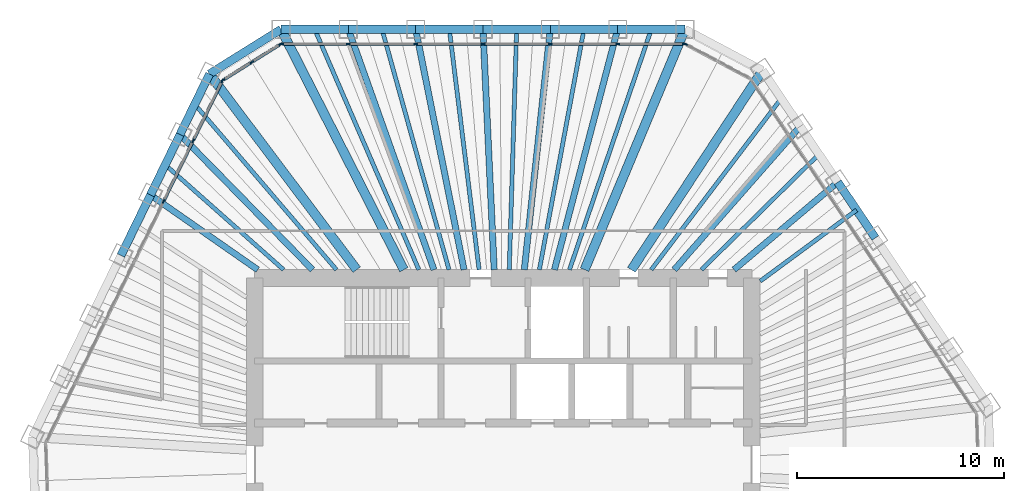
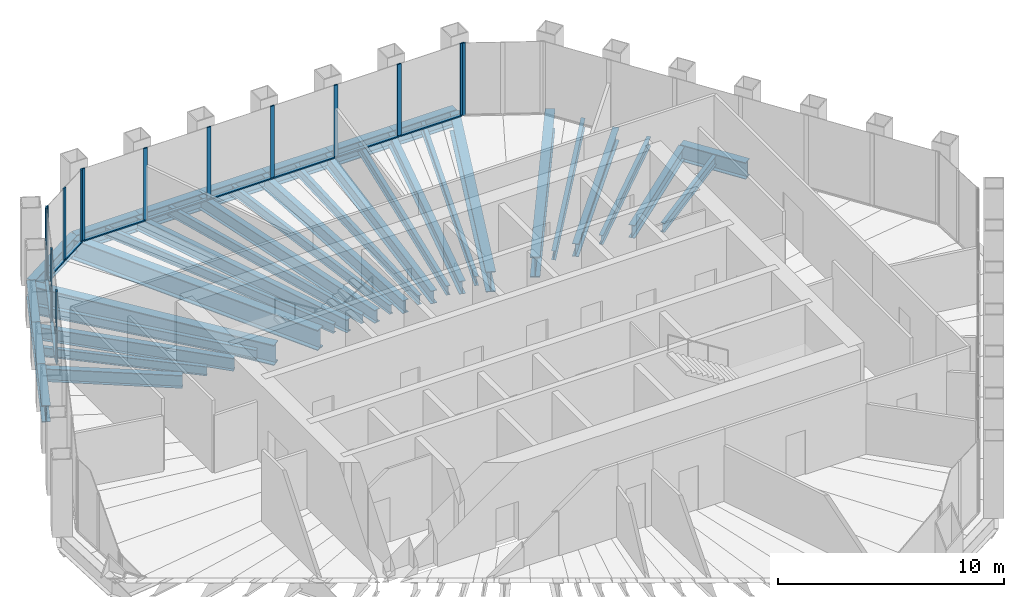
# One storey, part 7 of 14: 35 beams, 24 members, 4 elements without a shape of their own.
"""IFC4 building model written with IfcOpenShell, lengths in metres."""

from ifc_helpers import new_model, si_unit, direction, frame, origin, origin_2d, place, context, subcontext, project, spatial, rectangle, i_section, extrude, material, material_profile, profile_set, type_object, element, aggregate, save


model = new_model("IFC4")

# Units and contexts
model_context = context("Model", 3, precision=1e-05, world=origin(), true_north=direction((0.0, 1.0)))
body_context = subcontext(model_context, "Body", "Model", "MODEL_VIEW")
ifc_project = project(units=[si_unit("LENGTHUNIT", "METRE"), si_unit("AREAUNIT", "SQUARE_METRE"), si_unit("VOLUMEUNIT", "CUBIC_METRE"), si_unit("PLANEANGLEUNIT", "RADIAN"), si_unit("MASSUNIT", "GRAM", prefix="KILO")], contexts=[model_context])

# Site, building, storey
site_placement = place(None, origin())
site = spatial("IfcSite", under=ifc_project, at=site_placement, CompositionType="ELEMENT")
building_placement = place(site_placement, origin())
building = spatial("IfcBuilding", under=site, at=building_placement, Name="Qingtian Harvest Tower", CompositionType="ELEMENT")
storey_placement = place(building_placement, frame((0.0, 0.0, 333.39990234375)))
storey = spatial("IfcBuildingStorey", under=building, at=storey_placement, Name="L74", CompositionType="ELEMENT", Elevation=333.39990234375)

# Beams
ifc_material_1 = material(Name="Steel SM570MC", Category="steel")
ifc_material_profile_1 = material_profile(ifc_material_1, i_section(OverallWidth=0.449951171875, OverallDepth=1.10009765625, WebThickness=0.02197265625, FlangeThickness=0.044921875, at=origin_2d()), Name="H1100x450x22x45")
ifc_profile_set_1 = profile_set([ifc_material_profile_1], Name="Steel SM570MC")
beam_type_1 = type_object("IfcBeamType", Name="Corner floor beam FB8 H1100x450x22x45", PredefinedType="BEAM", material=ifc_profile_set_1)
beam_1_placement = place(storey_placement, frame((-10.72216796875, 21.0, -0.719970703125), z_axis=(0.454725592954, -0.890631593372, 0.0), x_axis=(0.890631593372, 0.454725592954, 0.0)))
element("IfcBeam", 1, at=beam_1_placement, inside=storey, type_object=beam_type_1, Name="Floor beam FB8 N0", PredefinedType="BEAM", context=body_context, shape_type="SweptSolid", body=[
    extrude(i_section(OverallWidth=0.449951171875, OverallDepth=1.10009765625, WebThickness=0.02197265625, FlangeThickness=0.044921875, at=origin_2d()), origin(), (0.0, 0.0, 1.0), 13.024658203125),
])
beam_2_placement = place(storey_placement, frame((8.765869140625, 21.0, -0.719970703125), z_axis=(-0.385202803059, -0.922831945977, 0.0), x_axis=(0.922831945977, -0.385202803059, 0.0)))
element("IfcBeam", 2, at=beam_2_placement, inside=storey, type_object=beam_type_1, Name="Floor beam FB8 N6", PredefinedType="BEAM", context=body_context, shape_type="SweptSolid", body=[
    extrude(i_section(OverallWidth=0.449951171875, OverallDepth=1.10009765625, WebThickness=0.02197265625, FlangeThickness=0.044921875, at=origin_2d()), origin(), (0.0, 0.0, 1.0), 12.570068359375),
])
beam_3_placement = place(storey_placement, frame((12.508056640625, 19.01025390625, -0.719970703125), z_axis=(-0.549655478371, -0.835391438247, 0.0), x_axis=(0.835391438247, -0.549655478371, 0.0)))
element("IfcBeam", 3, at=beam_3_placement, inside=storey, type_object=beam_type_1, Name="Floor beam FB8 NE0", PredefinedType="BEAM", context=body_context, shape_type="SweptSolid", body=[
    extrude(i_section(OverallWidth=0.449951171875, OverallDepth=1.10009765625, WebThickness=0.02197265625, FlangeThickness=0.044921875, at=origin_2d()), origin(), (0.0, 0.0, 1.0), 11.50390625),
])
beam_4_placement = place(storey_placement, frame((-14.17431640625, 18.8427734375, -0.719970703125), z_axis=(0.601143201392, -0.799141321307, 0.0), x_axis=(0.799141321307, 0.601143201392, 0.0)))
element("IfcBeam", 4, at=beam_4_placement, inside=storey, type_object=beam_type_1, Name="Floor beam FB8 NW6", PredefinedType="BEAM", context=body_context, shape_type="SweptSolid", body=[
    extrude(i_section(OverallWidth=0.449951171875, OverallDepth=1.10009765625, WebThickness=0.02197265625, FlangeThickness=0.044921875, at=origin_2d()), origin(), (0.0, 0.0, 1.0), 11.816162109375),
])
ifc_material_2 = material(Name="Steel SN490B", Category="steel")
ifc_material_profile_2 = material_profile(ifc_material_2, i_section(OverallWidth=0.300048828125, OverallDepth=0.699951171875, WebThickness=0.012939453125, FlangeThickness=0.02392578125, at=origin_2d()), Name="H700x300x13x24")
ifc_profile_set_2 = profile_set([ifc_material_profile_2], Name="Steel SN490B")
beam_type_2 = type_object("IfcBeamType", Name="Floor beam FB4 H700x300x13x24", PredefinedType="BEAM", material=ifc_profile_set_2)
beam_5_placement = place(storey_placement, frame((-7.47412109375, 21.0, -0.52001953125), z_axis=(0.335293644082, -0.942113672673, 0.0), x_axis=(0.942113672673, 0.335293644082, 0.0)))
element("IfcBeam", 5, at=beam_5_placement, inside=storey, type_object=beam_type_2, Name="Floor beam FB4 N1", PredefinedType="BEAM", context=body_context, shape_type="SweptSolid", body=[
    extrude(i_section(OverallWidth=0.300048828125, OverallDepth=0.699951171875, WebThickness=0.012939453125, FlangeThickness=0.02392578125, at=origin_2d()), origin(), (0.0, 0.0, 1.0), 12.312744140625),
])
beam_6_placement = place(storey_placement, frame((-4.226318359375, 21.0, -0.52001953125), z_axis=(0.197290474792, -0.980345076265, 0.0), x_axis=(0.980345076265, 0.197290474792, 0.0)))
element("IfcBeam", 6, at=beam_6_placement, inside=storey, type_object=beam_type_2, Name="Floor beam FB4 N2", PredefinedType="BEAM", context=body_context, shape_type="SweptSolid", body=[
    extrude(i_section(OverallWidth=0.300048828125, OverallDepth=0.699951171875, WebThickness=0.012939453125, FlangeThickness=0.02392578125, at=origin_2d()), origin(), (0.0, 0.0, 1.0), 11.832763671875),
])
beam_7_placement = place(storey_placement, frame((-0.978271484375, 21.0, -0.52001953125), z_axis=(0.046546287853, -0.998916134161, 0.0), x_axis=(0.998916134161, 0.046546287853, 0.0)))
element("IfcBeam", 7, at=beam_7_placement, inside=storey, type_object=beam_type_2, Name="Floor beam FB4 N3", PredefinedType="BEAM", context=body_context, shape_type="SweptSolid", body=[
    extrude(i_section(OverallWidth=0.300048828125, OverallDepth=0.699951171875, WebThickness=0.012939453125, FlangeThickness=0.02392578125, at=origin_2d()), origin(), (0.0, 0.0, 1.0), 11.61279296875),
])
beam_8_placement = place(storey_placement, frame((2.269775390625, 21.0, -0.52001953125), z_axis=(-0.107447744153, -0.994210733334, 0.0), x_axis=(0.994210733334, -0.107447744153, 0.0)))
element("IfcBeam", 8, at=beam_8_placement, inside=storey, type_object=beam_type_2, Name="Floor beam FB4 N4", PredefinedType="BEAM", context=body_context, shape_type="SweptSolid", body=[
    extrude(i_section(OverallWidth=0.300048828125, OverallDepth=0.699951171875, WebThickness=0.012939453125, FlangeThickness=0.02392578125, at=origin_2d()), origin(), (0.0, 0.0, 1.0), 11.667724609375),
])
beam_9_placement = place(storey_placement, frame((5.517822265625, 21.0, -0.52001953125), z_axis=(-0.254118548412, -0.967173078282, 0.0), x_axis=(0.967173078282, -0.254118548412, 0.0)))
element("IfcBeam", 9, at=beam_9_placement, inside=storey, type_object=beam_type_2, Name="Floor beam FB4 N5", PredefinedType="BEAM", context=body_context, shape_type="SweptSolid", body=[
    extrude(i_section(OverallWidth=0.300048828125, OverallDepth=0.699951171875, WebThickness=0.012939453125, FlangeThickness=0.02392578125, at=origin_2d()), origin(), (0.0, 0.0, 1.0), 11.993896484375),
])
beam_10_placement = place(storey_placement, frame((14.32421875, 16.317626953125, -0.52001953125), z_axis=(-0.659703637934, -0.751525854576, 0.0), x_axis=(0.751525854576, -0.659703637934, 0.0)))
element("IfcBeam", 10, at=beam_10_placement, inside=storey, type_object=beam_type_2, Name="Floor beam FB4 NE1", PredefinedType="BEAM", context=body_context, shape_type="SweptSolid", body=[
    extrude(i_section(OverallWidth=0.300048828125, OverallDepth=0.699951171875, WebThickness=0.012939453125, FlangeThickness=0.02392578125, at=origin_2d()), origin(), (0.0, 0.0, 1.0), 9.204833984375),
])
beam_11_placement = place(storey_placement, frame((16.140625, 13.624755859375, -0.52001953125), z_axis=(-0.764157701072, -0.645029462809, 0.0), x_axis=(0.645029462809, -0.764157701072, 0.0)))
element("IfcBeam", 11, at=beam_11_placement, inside=storey, type_object=beam_type_2, Name="Floor beam FB4 NE2", PredefinedType="BEAM", context=body_context, shape_type="SweptSolid", body=[
    extrude(i_section(OverallWidth=0.300048828125, OverallDepth=0.699951171875, WebThickness=0.012939453125, FlangeThickness=0.02392578125, at=origin_2d()), origin(), (0.0, 0.0, 1.0), 6.5498046875),
])
beam_12_placement = place(storey_placement, frame((-17.02197265625, 13.00439453125, -0.52001953125), z_axis=(0.820409176986, -0.571776864097, 0.0), x_axis=(0.571776864097, 0.820409176986, 0.0)))
element("IfcBeam", 12, at=beam_12_placement, inside=storey, type_object=beam_type_2, Name="Floor beam FB4 NW4", PredefinedType="BEAM", context=body_context, shape_type="SweptSolid", body=[
    extrude(i_section(OverallWidth=0.300048828125, OverallDepth=0.699951171875, WebThickness=0.012939453125, FlangeThickness=0.02392578125, at=origin_2d()), origin(), (0.0, 0.0, 1.0), 6.303955078125),
])
beam_13_placement = place(storey_placement, frame((-15.59814453125, 15.923583984375, -0.52001953125), z_axis=(0.699757003326, -0.714380946202, 0.0), x_axis=(0.714380946202, 0.699757003326, 0.0)))
element("IfcBeam", 13, at=beam_13_placement, inside=storey, type_object=beam_type_2, Name="Floor beam FB4 NW5", PredefinedType="BEAM", context=body_context, shape_type="SweptSolid", body=[
    extrude(i_section(OverallWidth=0.300048828125, OverallDepth=0.699951171875, WebThickness=0.012939453125, FlangeThickness=0.02392578125, at=origin_2d()), origin(), (0.0, 0.0, 1.0), 9.1318359375),
])
ifc_material_3 = material(Name="Steel SN490B", Category="steel")
ifc_material_profile_3 = material_profile(ifc_material_3, i_section(OverallWidth=0.199951171875, OverallDepth=0.5, WebThickness=0.010009765625, FlangeThickness=0.01611328125, at=origin_2d()), Name="H500x200x10x16")
ifc_profile_set_3 = profile_set([ifc_material_profile_3], Name="Steel SN490B")
beam_type_3 = type_object("IfcBeamType", Name="Floor joist J3 H500x200x10x16", PredefinedType="JOIST", material=ifc_profile_set_3)
beam_14_placement = place(storey_placement, frame((-9.09814453125, 21.0, -0.419921875), z_axis=(0.39753589741, -0.917586622761, 0.0), x_axis=(0.917586622761, 0.39753589741, 0.0)))
element("IfcBeam", 14, at=beam_14_placement, inside=storey, type_object=beam_type_3, Name="Floor joist J3 N0", PredefinedType="JOIST", context=body_context, shape_type="SweptSolid", body=[
    extrude(i_section(OverallWidth=0.199951171875, OverallDepth=0.5, WebThickness=0.010009765625, FlangeThickness=0.01611328125, at=origin_2d()), origin(), (0.0, 0.0, 1.0), 12.641845703125),
])
beam_15_placement = place(storey_placement, frame((-5.85009765625, 21.0, -0.419921875), z_axis=(0.268352758425, -0.963320713494, 0.0), x_axis=(0.963320713494, 0.268352758425, 0.0)))
element("IfcBeam", 15, at=beam_15_placement, inside=storey, type_object=beam_type_3, Name="Floor joist J3 N1", PredefinedType="JOIST", context=body_context, shape_type="SweptSolid", body=[
    extrude(i_section(OverallWidth=0.199951171875, OverallDepth=0.5, WebThickness=0.010009765625, FlangeThickness=0.01611328125, at=origin_2d()), origin(), (0.0, 0.0, 1.0), 12.041748046875),
])
beam_16_placement = place(storey_placement, frame((-2.602294921875, 21.0, -0.419921875), z_axis=(0.122980691304, -0.992409063626, 0.0), x_axis=(0.992409063626, 0.122980691304, 0.0)))
element("IfcBeam", 16, at=beam_16_placement, inside=storey, type_object=beam_type_3, Name="Floor joist J3 N2", PredefinedType="JOIST", context=body_context, shape_type="SweptSolid", body=[
    extrude(i_section(OverallWidth=0.199951171875, OverallDepth=0.5, WebThickness=0.010009765625, FlangeThickness=0.01611328125, at=origin_2d()), origin(), (0.0, 0.0, 1.0), 11.688720703125),
])
beam_17_placement = place(storey_placement, frame((0.645751953125, 21.0, -0.419921875), z_axis=(-0.030734305856, -0.999527589636, 0.0), x_axis=(0.999527589636, -0.030734305856, 0.0)))
element("IfcBeam", 17, at=beam_17_placement, inside=storey, type_object=beam_type_3, Name="Floor joist J3 N3", PredefinedType="JOIST", context=body_context, shape_type="SweptSolid", body=[
    extrude(i_section(OverallWidth=0.199951171875, OverallDepth=0.5, WebThickness=0.010009765625, FlangeThickness=0.01611328125, at=origin_2d()), origin(), (0.0, 0.0, 1.0), 11.60546875),
])
beam_18_placement = place(storey_placement, frame((3.893798828125, 21.0, -0.419921875), z_axis=(-0.182311561934, -0.983240812001, 0.0), x_axis=(0.983240812001, -0.182311561934, 0.0)))
element("IfcBeam", 18, at=beam_18_placement, inside=storey, type_object=beam_type_3, Name="Floor joist J3 N4", PredefinedType="JOIST", context=body_context, shape_type="SweptSolid", body=[
    extrude(i_section(OverallWidth=0.199951171875, OverallDepth=0.5, WebThickness=0.010009765625, FlangeThickness=0.01611328125, at=origin_2d()), origin(), (0.0, 0.0, 1.0), 11.7978515625),
])
beam_19_placement = place(storey_placement, frame((7.141845703125, 21.0, -0.419921875), z_axis=(-0.321978462512, -0.946746993488, 0.0), x_axis=(0.946746993488, -0.321978462512, 0.0)))
element("IfcBeam", 19, at=beam_19_placement, inside=storey, type_object=beam_type_3, Name="Floor joist J3 N5", PredefinedType="JOIST", context=body_context, shape_type="SweptSolid", body=[
    extrude(i_section(OverallWidth=0.199951171875, OverallDepth=0.5, WebThickness=0.010009765625, FlangeThickness=0.01611328125, at=origin_2d()), origin(), (0.0, 0.0, 1.0), 12.252685546875),
])
beam_20_placement = place(storey_placement, frame((13.416015625, 17.6640625, -0.419921875), z_axis=(-0.604829724016, -0.796354823522, 0.0), x_axis=(0.796354823522, -0.604829724016, 0.0)))
element("IfcBeam", 20, at=beam_20_placement, inside=storey, type_object=beam_type_3, Name="Floor joist J3 NE0", PredefinedType="JOIST", context=body_context, shape_type="SweptSolid", body=[
    extrude(i_section(OverallWidth=0.199951171875, OverallDepth=0.5, WebThickness=0.010009765625, FlangeThickness=0.01611328125, at=origin_2d()), origin(), (0.0, 0.0, 1.0), 10.37744140625),
])
beam_21_placement = place(storey_placement, frame((15.232421875, 14.97119140625, -0.419921875), z_axis=(-0.713193091885, -0.700967626704, 0.0), x_axis=(0.700967626704, -0.713193091885, 0.0)))
element("IfcBeam", 21, at=beam_21_placement, inside=storey, type_object=beam_type_3, Name="Floor joist J3 NE1", PredefinedType="JOIST", context=body_context, shape_type="SweptSolid", body=[
    extrude(i_section(OverallWidth=0.199951171875, OverallDepth=0.5, WebThickness=0.010009765625, FlangeThickness=0.01611328125, at=origin_2d()), origin(), (0.0, 0.0, 1.0), 7.947998046875),
])
beam_22_placement = place(storey_placement, frame((17.048583984375, 12.278564453125, -0.419921875), z_axis=(-0.804797608796, -0.59354933146, 0.0), x_axis=(0.59354933146, -0.804797608796, 0.0)))
element("IfcBeam", 22, at=beam_22_placement, inside=storey, type_object=beam_type_3, Name="Floor joist J3 NE2", PredefinedType="JOIST", context=body_context, shape_type="SweptSolid", body=[
    extrude(i_section(OverallWidth=0.199951171875, OverallDepth=0.5, WebThickness=0.010009765625, FlangeThickness=0.01611328125, at=origin_2d()), origin(), (0.0, 0.0, 1.0), 5.776123046875),
])
beam_23_placement = place(storey_placement, frame((-16.31005859375, 14.4638671875, -0.419921875), z_axis=(0.748174776717, -0.663501698177, 0.0), x_axis=(0.663501698177, 0.748174776717, 0.0)))
element("IfcBeam", 23, at=beam_23_placement, inside=storey, type_object=beam_type_3, Name="Floor joist J3 NW4", PredefinedType="JOIST", context=body_context, shape_type="SweptSolid", body=[
    extrude(i_section(OverallWidth=0.199951171875, OverallDepth=0.5, WebThickness=0.010009765625, FlangeThickness=0.01611328125, at=origin_2d()), origin(), (0.0, 0.0, 1.0), 7.632080078125),
])
beam_24_placement = place(storey_placement, frame((-14.88623046875, 17.38330078125, -0.419921875), z_axis=(0.650435500933, -0.75956149134, 0.0), x_axis=(0.75956149134, 0.650435500933, 0.0)))
element("IfcBeam", 24, at=beam_24_placement, inside=storey, type_object=beam_type_3, Name="Floor joist J3 NW5", PredefinedType="JOIST", context=body_context, shape_type="SweptSolid", body=[
    extrude(i_section(OverallWidth=0.199951171875, OverallDepth=0.5, WebThickness=0.010009765625, FlangeThickness=0.01611328125, at=origin_2d()), origin(), (0.0, 0.0, 1.0), 10.510498046875),
])

# Curtain wall, members
ifc_material_4 = material(Name="Bronze-anodised aluminium curtain wall", Category="aluminium")
curtain_wall_type = type_object("IfcCurtainWallType", Name="Curtain wall CW6 executive floors", PredefinedType="USERDEFINED", material=ifc_material_4)
curtain_wall_1_placement = place(storey_placement, origin())
curtain_wall_1 = element("IfcCurtainWall", 25, at=curtain_wall_1_placement, inside=storey, type_object=curtain_wall_type, Name="Curtain wall CW6 L74 N0-5", ObjectType="RECESSED CURTAIN WALL", PredefinedType="USERDEFINED")
ifc_material_5 = material(Name="Bronze-anodised aluminium mullion", Category="aluminium")
ifc_material_profile_4 = material_profile(ifc_material_5, rectangle(XDim=0.06494140625, YDim=0.199951171875, at=origin_2d()), Name="AL 65x200")
ifc_profile_set_4 = profile_set([ifc_material_profile_4], Name="Bronze-anodised aluminium mullion")
member_type_1 = type_object("IfcMemberType", Name="Mullion CWM 65x200", PredefinedType="MULLION", material=ifc_profile_set_4)
member_1_placement = place(storey_placement, frame((-10.689697265625, 20.300048828125, 0.0), z_axis=(0.0, 0.0, 1.0), x_axis=(0.0, 1.0, 0.0)))
member_1 = element("IfcMember", 26, at=member_1_placement, type_object=member_type_1, Name="CW6 mullion 1", PredefinedType="MULLION", context=body_context, shape_type="SweptSolid", body=[
    extrude(rectangle(XDim=0.06494140625, YDim=0.199951171875, at=origin_2d()), origin(), (0.0, 0.0, 1.0), 3.920166015625),
])
member_2_placement = place(storey_placement, frame((-7.47412109375, 20.300048828125, 0.0), z_axis=(0.0, 0.0, 1.0), x_axis=(0.0, 1.0, 0.0)))
member_2 = element("IfcMember", 27, at=member_2_placement, type_object=member_type_1, Name="CW6 mullion 2", PredefinedType="MULLION", context=body_context, shape_type="SweptSolid", body=[
    extrude(rectangle(XDim=0.06494140625, YDim=0.199951171875, at=origin_2d()), origin(), (0.0, 0.0, 1.0), 3.920166015625),
])
member_3_placement = place(storey_placement, frame((-4.226318359375, 20.300048828125, 0.0), z_axis=(0.0, 0.0, 1.0), x_axis=(0.0, 1.0, 0.0)))
member_3 = element("IfcMember", 28, at=member_3_placement, type_object=member_type_1, Name="CW6 mullion 3", PredefinedType="MULLION", context=body_context, shape_type="SweptSolid", body=[
    extrude(rectangle(XDim=0.06494140625, YDim=0.199951171875, at=origin_2d()), origin(), (0.0, 0.0, 1.0), 3.920166015625),
])
member_4_placement = place(storey_placement, frame((-0.978271484375, 20.300048828125, 0.0), z_axis=(0.0, 0.0, 1.0), x_axis=(0.0, 1.0, 0.0)))
member_4 = element("IfcMember", 29, at=member_4_placement, type_object=member_type_1, Name="CW6 mullion 4", PredefinedType="MULLION", context=body_context, shape_type="SweptSolid", body=[
    extrude(rectangle(XDim=0.06494140625, YDim=0.199951171875, at=origin_2d()), origin(), (0.0, 0.0, 1.0), 3.920166015625),
])
member_5_placement = place(storey_placement, frame((2.269775390625, 20.300048828125, 0.0), z_axis=(0.0, 0.0, 1.0), x_axis=(0.0, 1.0, 0.0)))
member_5 = element("IfcMember", 30, at=member_5_placement, type_object=member_type_1, Name="CW6 mullion 5", PredefinedType="MULLION", context=body_context, shape_type="SweptSolid", body=[
    extrude(rectangle(XDim=0.06494140625, YDim=0.199951171875, at=origin_2d()), origin(), (0.0, 0.0, 1.0), 3.920166015625),
])
member_6_placement = place(storey_placement, frame((5.517822265625, 20.300048828125, 0.0), z_axis=(0.0, 0.0, 1.0), x_axis=(0.0, 1.0, 0.0)))
member_6 = element("IfcMember", 31, at=member_6_placement, type_object=member_type_1, Name="CW6 mullion 6", PredefinedType="MULLION", context=body_context, shape_type="SweptSolid", body=[
    extrude(rectangle(XDim=0.06494140625, YDim=0.199951171875, at=origin_2d()), origin(), (0.0, 0.0, 1.0), 3.920166015625),
])
member_7_placement = place(storey_placement, frame((8.7333984375, 20.300048828125, 0.0), z_axis=(0.0, 0.0, 1.0), x_axis=(0.0, 1.0, 0.0)))
member_7 = element("IfcMember", 32, at=member_7_placement, type_object=member_type_1, Name="CW6 mullion 7", PredefinedType="MULLION", context=body_context, shape_type="SweptSolid", body=[
    extrude(rectangle(XDim=0.06494140625, YDim=0.199951171875, at=origin_2d()), origin(), (0.0, 0.0, 1.0), 3.920166015625),
])

# Curtain wall, member
curtain_wall_2_placement = place(storey_placement, origin())
curtain_wall_2 = element("IfcCurtainWall", 33, at=curtain_wall_2_placement, inside=storey, type_object=curtain_wall_type, Name="Curtain wall CW6 L74 NC", ObjectType="RECESSED CURTAIN WALL", PredefinedType="USERDEFINED")
member_8_placement = place(storey_placement, frame((8.794677734375, 20.28466796875, 0.0), z_axis=(0.0, 0.0, 1.0), x_axis=(0.469471562786, 0.882947592859, 0.0)))
member_8 = element("IfcMember", 34, at=member_8_placement, type_object=member_type_1, Name="CW6 mullion 1", PredefinedType="MULLION", context=body_context, shape_type="SweptSolid", body=[
    extrude(rectangle(XDim=0.06494140625, YDim=0.199951171875, at=origin_2d()), origin(), (0.0, 0.0, 1.0), 3.920166015625),
])
aggregate(curtain_wall_2, [member_8])

# Curtain wall, members
curtain_wall_3_placement = place(storey_placement, origin())
curtain_wall_3 = element("IfcCurtainWall", 35, at=curtain_wall_3_placement, inside=storey, type_object=curtain_wall_type, Name="Curtain wall CW6 L74 NW0-5", ObjectType="RECESSED CURTAIN WALL", PredefinedType="USERDEFINED")
member_9_placement = place(storey_placement, frame((-16.392822265625, 12.697509765625, 0.0), z_axis=(0.0, 0.0, 1.0), x_axis=(-0.898794046299, 0.438371146789, 0.0)))
member_9 = element("IfcMember", 36, at=member_9_placement, type_object=member_type_1, Name="CW6 mullion 5", PredefinedType="MULLION", context=body_context, shape_type="SweptSolid", body=[
    extrude(rectangle(XDim=0.06494140625, YDim=0.199951171875, at=origin_2d()), origin(), (0.0, 0.0, 1.0), 3.920166015625),
])
member_10_placement = place(storey_placement, frame((-14.968994140625, 15.61669921875, 0.0), z_axis=(0.0, 0.0, 1.0), x_axis=(-0.898794046299, 0.438371146789, 0.0)))
member_10 = element("IfcMember", 37, at=member_10_placement, type_object=member_type_1, Name="CW6 mullion 6", PredefinedType="MULLION", context=body_context, shape_type="SweptSolid", body=[
    extrude(rectangle(XDim=0.06494140625, YDim=0.199951171875, at=origin_2d()), origin(), (0.0, 0.0, 1.0), 3.920166015625),
])
member_11_placement = place(storey_placement, frame((-13.559326171875, 18.5068359375, 0.0), z_axis=(0.0, 0.0, 1.0), x_axis=(-0.898794046299, 0.438371146789, 0.0)))
member_11 = element("IfcMember", 38, at=member_11_placement, type_object=member_type_1, Name="CW6 mullion 7", PredefinedType="MULLION", context=body_context, shape_type="SweptSolid", body=[
    extrude(rectangle(XDim=0.06494140625, YDim=0.199951171875, at=origin_2d()), origin(), (0.0, 0.0, 1.0), 3.920166015625),
])

curtain_wall_4_placement = place(storey_placement, origin())
curtain_wall_4 = element("IfcCurtainWall", 39, at=curtain_wall_4_placement, inside=storey, type_object=curtain_wall_type, Name="Curtain wall CW6 L74 NWC", ObjectType="RECESSED CURTAIN WALL", PredefinedType="USERDEFINED")
member_12_placement = place(storey_placement, frame((-13.517578125, 18.55322265625, 0.0), z_axis=(0.0, 0.0, 1.0), x_axis=(-0.529919264233, 0.848048096156, 0.0)))
member_12 = element("IfcMember", 40, at=member_12_placement, type_object=member_type_1, Name="CW6 mullion 1", PredefinedType="MULLION", context=body_context, shape_type="SweptSolid", body=[
    extrude(rectangle(XDim=0.06494140625, YDim=0.199951171875, at=origin_2d()), origin(), (0.0, 0.0, 1.0), 3.920166015625),
])
member_13_placement = place(storey_placement, frame((-12.1337890625, 19.41796875, 0.0), z_axis=(0.0, 0.0, 1.0), x_axis=(-0.529919264233, 0.848048096156, 0.0)))
member_13 = element("IfcMember", 41, at=member_13_placement, type_object=member_type_1, Name="CW6 mullion 2", PredefinedType="MULLION", context=body_context, shape_type="SweptSolid", body=[
    extrude(rectangle(XDim=0.06494140625, YDim=0.199951171875, at=origin_2d()), origin(), (0.0, 0.0, 1.0), 3.920166015625),
])
member_14_placement = place(storey_placement, frame((-10.749755859375, 20.28271484375, 0.0), z_axis=(0.0, 0.0, 1.0), x_axis=(-0.529919264233, 0.848048096156, 0.0)))
member_14 = element("IfcMember", 42, at=member_14_placement, type_object=member_type_1, Name="CW6 mullion 3", PredefinedType="MULLION", context=body_context, shape_type="SweptSolid", body=[
    extrude(rectangle(XDim=0.06494140625, YDim=0.199951171875, at=origin_2d()), origin(), (0.0, 0.0, 1.0), 3.920166015625),
])

# Beams
ifc_material_6 = material(Name="Steel SN490B", Category="steel")
ifc_material_profile_5 = material_profile(ifc_material_6, i_section(OverallWidth=0.39990234375, OverallDepth=0.89990234375, WebThickness=0.01904296875, FlangeThickness=0.035888671875, at=origin_2d()), Name="H900x400x19x36")
ifc_profile_set_5 = profile_set([ifc_material_profile_5], Name="Steel SN490B")
beam_type_4 = type_object("IfcBeamType", Name="Spandrel beam SB4 H900x400x19x36", PredefinedType="SPANDREL", material=ifc_profile_set_5)
beam_25_placement = place(storey_placement, frame((-10.72216796875, 21.0, -0.449951171875), z_axis=(1.0, 0.0, 0.0), x_axis=(0.0, 1.0, 0.0)))
element("IfcBeam", 43, at=beam_25_placement, inside=storey, type_object=beam_type_4, Name="Spandrel SB4 N0", PredefinedType="SPANDREL", context=body_context, shape_type="SweptSolid", body=[
    extrude(i_section(OverallWidth=0.39990234375, OverallDepth=0.89990234375, WebThickness=0.01904296875, FlangeThickness=0.035888671875, at=origin_2d()), origin(), (0.0, 0.0, 1.0), 3.248046875),
])
beam_26_placement = place(storey_placement, frame((-7.47412109375, 21.0, -0.449951171875), z_axis=(1.0, 0.0, 0.0), x_axis=(0.0, 1.0, 0.0)))
element("IfcBeam", 44, at=beam_26_placement, inside=storey, type_object=beam_type_4, Name="Spandrel SB4 N1", PredefinedType="SPANDREL", context=body_context, shape_type="SweptSolid", body=[
    extrude(i_section(OverallWidth=0.39990234375, OverallDepth=0.89990234375, WebThickness=0.01904296875, FlangeThickness=0.035888671875, at=origin_2d()), origin(), (0.0, 0.0, 1.0), 3.247802734375),
])
for number, where, z_axis, x_axis, name in (
    (45, (-4.226318359375, 21.0, -0.449951171875), (1.0, 0.0, 0.0), (0.0, 1.0, 0.0), "Spandrel SB4 N2"),
    (46, (-0.978271484375, 21.0, -0.449951171875), (1.0, 0.0, 0.0), (0.0, 1.0, 0.0), "Spandrel SB4 N3"),
    (47, (2.269775390625, 21.0, -0.449951171875), (1.0, 0.0, 0.0), (0.0, 1.0, 0.0), "Spandrel SB4 N4"),
    (48, (5.517822265625, 21.0, -0.449951171875), (1.0, 0.0, 0.0), (0.0, 1.0, 0.0), "Spandrel SB4 N5"),
):
    element("IfcBeam", number, at=place(storey_placement, frame(where, z_axis=z_axis, x_axis=x_axis)), inside=storey, type_object=beam_type_4, Name=name, PredefinedType="SPANDREL", context=body_context, shape_type="SweptSolid", body=[
        extrude(i_section(OverallWidth=0.39990234375, OverallDepth=0.89990234375, WebThickness=0.01904296875, FlangeThickness=0.035888671875, at=origin_2d()), origin(), (0.0, 0.0, 1.0), 3.248046875),
    ])
beam_27_placement = place(storey_placement, frame((16.140625, 13.624755859375, -0.449951171875), z_axis=(0.559184924833, -0.829042954158, 0.0), x_axis=(0.829042954158, 0.559184924833, 0.0)))
element("IfcBeam", 49, at=beam_27_placement, inside=storey, type_object=beam_type_4, Name="Spandrel SB4 NE2", PredefinedType="SPANDREL", context=body_context, shape_type="SweptSolid", body=[
    extrude(i_section(OverallWidth=0.39990234375, OverallDepth=0.89990234375, WebThickness=0.01904296875, FlangeThickness=0.035888671875, at=origin_2d()), origin(), (0.0, 0.0, 1.0), 3.247802734375),
])
beam_28_placement = place(storey_placement, frame((-18.44580078125, 10.0849609375, -0.449951171875), z_axis=(0.438352548749, 0.898803116931, 0.0), x_axis=(-0.898803116931, 0.438352548749, 0.0)))
element("IfcBeam", 50, at=beam_28_placement, inside=storey, type_object=beam_type_4, Name="Spandrel SB4 NW3", PredefinedType="SPANDREL", context=body_context, shape_type="SweptSolid", body=[
    extrude(i_section(OverallWidth=0.39990234375, OverallDepth=0.89990234375, WebThickness=0.01904296875, FlangeThickness=0.035888671875, at=origin_2d()), origin(), (0.0, 0.0, 1.0), 3.248046875),
])
for number, where, z_axis, x_axis, name in (
    (51, (-17.02197265625, 13.00439453125, -0.449951171875), (0.438382164311, 0.898788672611, 0.0), (-0.898788672611, 0.438382164311, 0.0), "Spandrel SB4 NW4"),
    (52, (-15.59814453125, 15.923583984375, -0.449951171875), (0.438382164311, 0.898788672611, 0.0), (-0.898788672611, 0.438382164311, 0.0), "Spandrel SB4 NW5"),
):
    element("IfcBeam", number, at=place(storey_placement, frame(where, z_axis=z_axis, x_axis=x_axis)), inside=storey, type_object=beam_type_4, Name=name, PredefinedType="SPANDREL", context=body_context, shape_type="SweptSolid", body=[
        extrude(i_section(OverallWidth=0.39990234375, OverallDepth=0.89990234375, WebThickness=0.01904296875, FlangeThickness=0.035888671875, at=origin_2d()), origin(), (0.0, 0.0, 1.0), 3.247802734375),
    ])
beam_29_placement = place(storey_placement, frame((-14.17431640625, 18.8427734375, -0.449951171875), z_axis=(0.848038733752, 0.529934246919, 0.0), x_axis=(-0.529934246919, 0.848038733752, 0.0)))
element("IfcBeam", 53, at=beam_29_placement, inside=storey, type_object=beam_type_4, Name="Spandrel SB4 NWC", PredefinedType="SPANDREL", context=body_context, shape_type="SweptSolid", body=[
    extrude(i_section(OverallWidth=0.39990234375, OverallDepth=0.89990234375, WebThickness=0.01904296875, FlangeThickness=0.035888671875, at=origin_2d()), origin(), (0.0, 0.0, 1.0), 4.07080078125),
])

# Member
ifc_material_7 = material(Name="Bronze-anodised aluminium transom", Category="aluminium")
ifc_material_profile_6 = material_profile(ifc_material_7, rectangle(XDim=0.14990234375, YDim=0.06494140625, at=origin_2d()), Name="AL 65x150")
ifc_profile_set_6 = profile_set([ifc_material_profile_6], Name="Bronze-anodised aluminium transom")
member_type_2 = type_object("IfcMemberType", Name="Transom CWT 65x150", PredefinedType="USERDEFINED", material=ifc_profile_set_6)
member_15_placement = place(storey_placement, frame((-10.6572265625, 20.300048828125, 0.03271484375), z_axis=(1.0, 0.0, 0.0), x_axis=(0.0, 1.0, 0.0)))
member_15 = element("IfcMember", 54, at=member_15_placement, type_object=member_type_2, Name="CW6 transom 1.1", ObjectType="TRANSOM", PredefinedType="USERDEFINED", context=body_context, shape_type="SweptSolid", body=[
    extrude(rectangle(XDim=0.14990234375, YDim=0.06494140625, at=origin_2d()), origin(), (0.0, 0.0, 1.0), 3.150390625),
])

member_16_placement = place(storey_placement, frame((-7.441650390625, 20.300048828125, 0.03271484375), z_axis=(1.0, 0.0, 0.0), x_axis=(0.0, 1.0, 0.0)))
member_16 = element("IfcMember", 55, at=member_16_placement, type_object=member_type_2, Name="CW6 transom 2.1", ObjectType="TRANSOM", PredefinedType="USERDEFINED", context=body_context, shape_type="SweptSolid", body=[
    extrude(rectangle(XDim=0.14990234375, YDim=0.06494140625, at=origin_2d()), origin(), (0.0, 0.0, 1.0), 3.182861328125),
])

member_17_placement = place(storey_placement, frame((-4.193603515625, 20.300048828125, 0.03271484375), z_axis=(1.0, 0.0, 0.0), x_axis=(0.0, 1.0, 0.0)))
member_17 = element("IfcMember", 56, at=member_17_placement, type_object=member_type_2, Name="CW6 transom 3.1", ObjectType="TRANSOM", PredefinedType="USERDEFINED", context=body_context, shape_type="SweptSolid", body=[
    extrude(rectangle(XDim=0.14990234375, YDim=0.06494140625, at=origin_2d()), origin(), (0.0, 0.0, 1.0), 3.182861328125),
])

member_18_placement = place(storey_placement, frame((-0.94580078125, 20.300048828125, 0.03271484375), z_axis=(1.0, 0.0, 0.0), x_axis=(0.0, 1.0, 0.0)))
member_18 = element("IfcMember", 57, at=member_18_placement, type_object=member_type_2, Name="CW6 transom 4.1", ObjectType="TRANSOM", PredefinedType="USERDEFINED", context=body_context, shape_type="SweptSolid", body=[
    extrude(rectangle(XDim=0.14990234375, YDim=0.06494140625, at=origin_2d()), origin(), (0.0, 0.0, 1.0), 3.18310546875),
])

member_19_placement = place(storey_placement, frame((2.30224609375, 20.300048828125, 0.03271484375), z_axis=(1.0, 0.0, 0.0), x_axis=(0.0, 1.0, 0.0)))
member_19 = element("IfcMember", 58, at=member_19_placement, type_object=member_type_2, Name="CW6 transom 5.1", ObjectType="TRANSOM", PredefinedType="USERDEFINED", context=body_context, shape_type="SweptSolid", body=[
    extrude(rectangle(XDim=0.14990234375, YDim=0.06494140625, at=origin_2d()), origin(), (0.0, 0.0, 1.0), 3.18310546875),
])

member_20_placement = place(storey_placement, frame((5.55029296875, 20.300048828125, 0.03271484375), z_axis=(1.0, 0.0, 0.0), x_axis=(0.0, 1.0, 0.0)))
member_20 = element("IfcMember", 59, at=member_20_placement, type_object=member_type_2, Name="CW6 transom 6.1", ObjectType="TRANSOM", PredefinedType="USERDEFINED", context=body_context, shape_type="SweptSolid", body=[
    extrude(rectangle(XDim=0.14990234375, YDim=0.06494140625, at=origin_2d()), origin(), (0.0, 0.0, 1.0), 3.150634765625),
])

aggregate(curtain_wall_1, [member_1, member_2, member_3, member_4, member_5, member_6, member_7, member_15, member_16, member_17, member_18, member_19, member_20])

member_21_placement = place(storey_placement, frame((-16.378662109375, 12.7265625, 0.03271484375), z_axis=(0.438355626738, 0.898801615768, 0.0), x_axis=(-0.898801615768, 0.438355626738, 0.0)))
member_21 = element("IfcMember", 60, at=member_21_placement, type_object=member_type_2, Name="CW6 transom 5.1", ObjectType="TRANSOM", PredefinedType="USERDEFINED", context=body_context, shape_type="SweptSolid", body=[
    extrude(rectangle(XDim=0.14990234375, YDim=0.06494140625, at=origin_2d()), origin(), (0.0, 0.0, 1.0), 3.182861328125),
])

member_22_placement = place(storey_placement, frame((-14.954833984375, 15.64599609375, 0.03271484375), z_axis=(0.438388515075, 0.898785575012, 0.0), x_axis=(-0.898785575012, 0.438388515075, 0.0)))
member_22 = element("IfcMember", 61, at=member_22_placement, type_object=member_type_2, Name="CW6 transom 6.1", ObjectType="TRANSOM", PredefinedType="USERDEFINED", context=body_context, shape_type="SweptSolid", body=[
    extrude(rectangle(XDim=0.14990234375, YDim=0.06494140625, at=origin_2d()), origin(), (0.0, 0.0, 1.0), 3.150390625),
])

aggregate(curtain_wall_3, [member_9, member_10, member_11, member_21, member_22])

member_23_placement = place(storey_placement, frame((-13.489990234375, 18.570556640625, 0.03271484375), z_axis=(0.848015812303, 0.529970925697, 0.0), x_axis=(-0.529970925697, 0.848015812303, 0.0)))
member_23 = element("IfcMember", 62, at=member_23_placement, type_object=member_type_2, Name="CW6 transom 1.1", ObjectType="TRANSOM", PredefinedType="USERDEFINED", context=body_context, shape_type="SweptSolid", body=[
    extrude(rectangle(XDim=0.14990234375, YDim=0.06494140625, at=origin_2d()), origin(), (0.0, 0.0, 1.0), 1.566650390625),
])

member_24_placement = place(storey_placement, frame((-12.106201171875, 19.435302734375, 0.03271484375), z_axis=(0.848059570903, 0.529900900357, 0.0), x_axis=(-0.529900900357, 0.848059570903, 0.0)))
member_24 = element("IfcMember", 63, at=member_24_placement, type_object=member_type_2, Name="CW6 transom 2.1", ObjectType="TRANSOM", PredefinedType="USERDEFINED", context=body_context, shape_type="SweptSolid", body=[
    extrude(rectangle(XDim=0.14990234375, YDim=0.06494140625, at=origin_2d()), origin(), (0.0, 0.0, 1.0), 1.56689453125),
])

aggregate(curtain_wall_4, [member_12, member_13, member_14, member_23, member_24])

save(model, "model.ifc")
